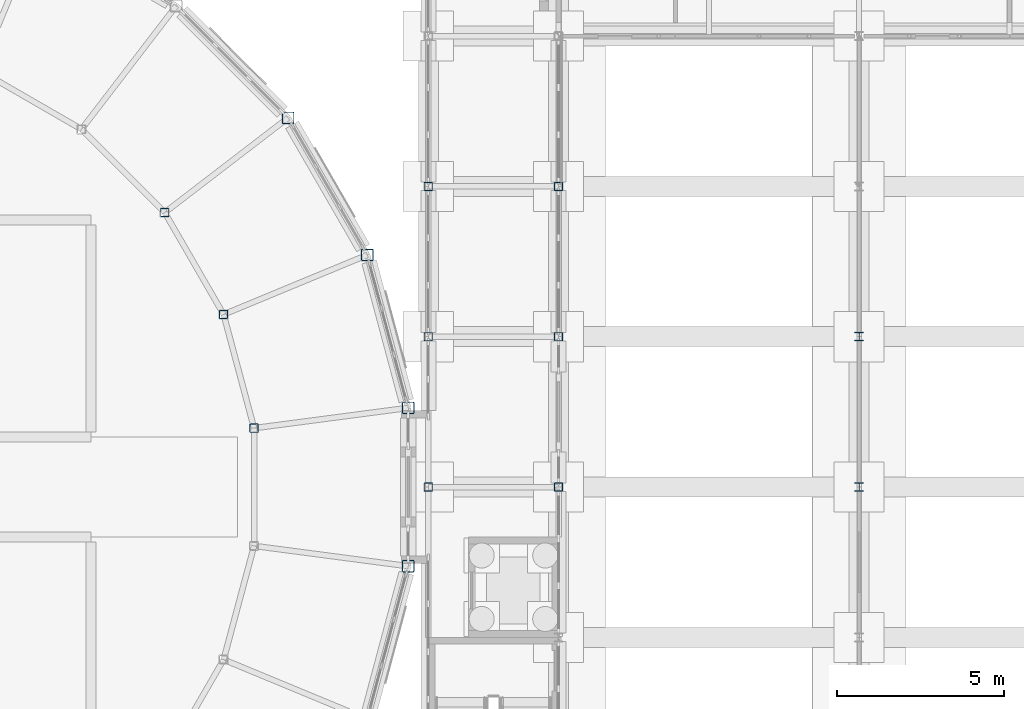
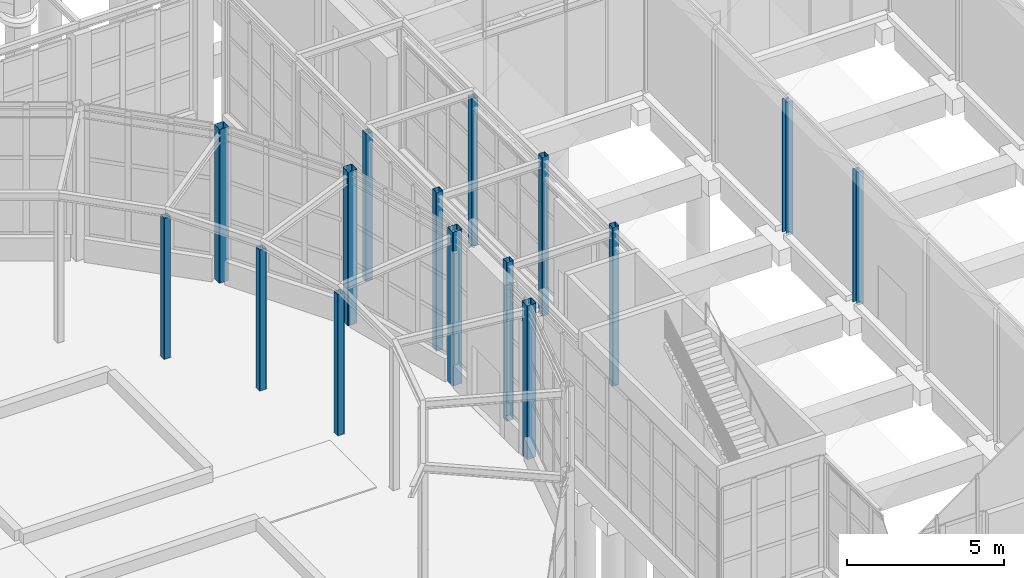
# One storey, part 17 of 106: 15 columns.
"""IFC4 building model written with IfcOpenShell, lengths in metres."""

from ifc_helpers import new_model, si_unit, direction, frame, origin, origin_2d, place, context, subcontext, project, spatial, hollow_rectangle, i_section, extrude, material, material_profile, profile_set, type_object, element, save


model = new_model("IFC4")

# Units and contexts
model_context = context("Model", 3, precision=1e-05, world=origin(), true_north=direction((0.0, 1.0)))
body_context = subcontext(model_context, "Body", "Model", "MODEL_VIEW")
ifc_project = project(units=[si_unit("LENGTHUNIT", "METRE"), si_unit("AREAUNIT", "SQUARE_METRE"), si_unit("VOLUMEUNIT", "CUBIC_METRE"), si_unit("PLANEANGLEUNIT", "RADIAN"), si_unit("MASSUNIT", "GRAM", prefix="KILO")], contexts=[model_context])

# Site, building, storey
site_placement = place(None, origin())
site = spatial("IfcSite", under=ifc_project, at=site_placement, CompositionType="ELEMENT")
building_placement = place(site_placement, origin())
building = spatial("IfcBuilding", under=site, at=building_placement, Name="Hortulan Conservatory and Botanical Research Centre", CompositionType="ELEMENT")
storey_placement = place(building_placement, origin())
storey = spatial("IfcBuildingStorey", under=building, at=storey_placement, Name="L00", CompositionType="ELEMENT", Elevation=0.0)

# Columns
ifc_material_1 = material(Name="Steel Grade 300PLUS (AS/NZS 3679.1, 280 MPa minimum yield)", Category="steel")
ifc_material_profile_1 = material_profile(ifc_material_1, i_section(OverallWidth=0.25390625, OverallDepth=0.25390625, WebThickness=0.008544921875, FlangeThickness=0.01416015625, FilletRadius=0.013916015625, at=origin_2d()), Name="250UC72.9")
ifc_profile_set_1 = profile_set([ifc_material_profile_1], Name="Steel Grade 300PLUS (AS/NZS 3679.1, 280 MPa minimum yield)")
column_type_1 = type_object("IfcColumnType", Name="Climate House Column 250UC72.9", PredefinedType="COLUMN", material=ifc_profile_set_1)
for number, where, z_axis, x_axis, name in (
    (1, (85.5, 18.0, -0.199951171875), (0.0, 0.0, 1.0), (1.0, 0.0, 0.0), "Climate house column F2-5"),
    (2, (85.5, 22.5, -0.199951171875), (0.0, 0.0, 1.0), (1.0, 0.0, 0.0), "Climate house column F2-6"),
):
    element("IfcColumn", number, at=place(storey_placement, frame(where, z_axis=z_axis, x_axis=x_axis)), inside=storey, type_object=column_type_1, Name=name, PredefinedType="COLUMN", context=body_context, shape_type="SweptSolid", body=[
        extrude(i_section(OverallWidth=0.25390625, OverallDepth=0.25390625, WebThickness=0.008544921875, FlangeThickness=0.01416015625, FilletRadius=0.013916015625, at=origin_2d()), origin(), (0.0, 0.0, 1.0), 5.199951171875),
    ])
ifc_material_2 = material(Name="Steel Grade C450L0 (450 MPa, AS/NZS 1163)", Category="steel")
ifc_material_profile_2 = material_profile(ifc_material_2, hollow_rectangle(XDim=0.35009765625, YDim=0.35009765625, WallThickness=0.012451171875, InnerFilletRadius=0.018798828125, OuterFilletRadius=0.03125, at=origin_2d()), Name="350x350x12.5SHS")
ifc_profile_set_2 = profile_set([ifc_material_profile_2], Name="Steel Grade C450L0 (450 MPa, AS/NZS 1163)")
column_type_2 = type_object("IfcColumnType", Name="Dome Drum Column 350x350x12.5 SHS", PredefinedType="COLUMN", material=ifc_profile_set_2)
for number, where, z_axis, x_axis, name in (
    (3, (72.0, 20.36962890625, 0.0), (0.0, 0.0, 1.0), (1.0, 0.0, 0.0), "Dome drum column 01 L00"),
    (4, (70.773193359375, 24.94775390625, 0.0), (0.0, 0.0, 1.0), (1.0, 0.0, 0.0), "Dome drum column 02 L00"),
    (5, (68.403564453125, 29.05224609375, 0.0), (0.0, 0.0, 1.0), (1.0, 0.0, 0.0), "Dome drum column 03 L00"),
    (6, (72.0, 15.63037109375, 0.0), (0.0, 0.0, 1.0), (1.0, 0.0, 0.0), "Dome drum column 24 L00"),
):
    element("IfcColumn", number, at=place(storey_placement, frame(where, z_axis=z_axis, x_axis=x_axis)), inside=storey, type_object=column_type_2, Name=name, PredefinedType="COLUMN", context=body_context, shape_type="SweptSolid", body=[
        extrude(hollow_rectangle(XDim=0.35009765625, YDim=0.35009765625, WallThickness=0.012451171875, InnerFilletRadius=0.018798828125, OuterFilletRadius=0.03125, at=origin_2d()), origin(), (0.0, 0.0, 1.0), 6.0),
    ])
ifc_material_profile_3 = material_profile(ifc_material_2, hollow_rectangle(XDim=0.25, YDim=0.25, WallThickness=0.009033203125, InnerFilletRadius=0.013427734375, OuterFilletRadius=0.0224609375, at=origin_2d()), Name="250x250x9SHS")
ifc_profile_set_3 = profile_set([ifc_material_profile_3], Name="Steel Grade C450L0 (450 MPa, AS/NZS 1163)")
column_type_3 = type_object("IfcColumnType", Name="Dome Walk Support Column 250x250x9 SHS", PredefinedType="COLUMN", material=ifc_profile_set_3)
for number, where, z_axis, x_axis, name in (
    (7, (67.384521484375, 19.76220703125, 0.0), (0.0, 0.0, 1.0), (1.0, 0.0, 0.0), "Dome walk support 01 L00"),
    (8, (66.472412109375, 23.166259765625, 0.0), (0.0, 0.0, 1.0), (1.0, 0.0, 0.0), "Dome walk support 02 L00"),
    (9, (64.710205078125, 26.21826171875, 0.0), (0.0, 0.0, 1.0), (1.0, 0.0, 0.0), "Dome walk support 03 L00"),
):
    element("IfcColumn", number, at=place(storey_placement, frame(where, z_axis=z_axis, x_axis=x_axis)), inside=storey, type_object=column_type_3, Name=name, PredefinedType="COLUMN", context=body_context, shape_type="SweptSolid", body=[
        extrude(hollow_rectangle(XDim=0.25, YDim=0.25, WallThickness=0.009033203125, InnerFilletRadius=0.013427734375, OuterFilletRadius=0.0224609375, at=origin_2d()), origin(), (0.0, 0.0, 1.0), 5.492919921875),
    ])
ifc_material_profile_4 = material_profile(ifc_material_2, hollow_rectangle(XDim=0.25, YDim=0.25, WallThickness=0.009033203125, InnerFilletRadius=0.013427734375, OuterFilletRadius=0.0224609375, at=origin_2d()), Name="250x250x9SHS")
ifc_profile_set_4 = profile_set([ifc_material_profile_4], Name="Steel Grade C450L0 (450 MPa, AS/NZS 1163)")
column_type_4 = type_object("IfcColumnType", Name="Head Link Column 250x250x9 SHS", PredefinedType="COLUMN", material=ifc_profile_set_4)
for number, where, z_axis, x_axis, name in (
    (10, (72.60009765625, 18.0, -0.199951171875), (0.0, 0.0, 1.0), (1.0, 0.0, 0.0), "Head link column C-72.6-18.0 L00"),
    (11, (76.5, 18.0, -0.199951171875), (0.0, 0.0, 1.0), (1.0, 0.0, 0.0), "Head link column C-76.5-18.0 L00"),
    (12, (72.60009765625, 22.5, -0.199951171875), (0.0, 0.0, 1.0), (1.0, 0.0, 0.0), "Head link column C-72.6-22.5 L00"),
    (13, (76.5, 22.5, -0.199951171875), (0.0, 0.0, 1.0), (1.0, 0.0, 0.0), "Head link column C-76.5-22.5 L00"),
):
    element("IfcColumn", number, at=place(storey_placement, frame(where, z_axis=z_axis, x_axis=x_axis)), inside=storey, type_object=column_type_4, Name=name, PredefinedType="COLUMN", context=body_context, shape_type="SweptSolid", body=[
        extrude(hollow_rectangle(XDim=0.25, YDim=0.25, WallThickness=0.009033203125, InnerFilletRadius=0.013427734375, OuterFilletRadius=0.0224609375, at=origin_2d()), origin(), (0.0, 0.0, 1.0), 6.199951171875),
    ])
for number, where, z_axis, x_axis, name in (
    (14, (72.60009765625, 27.0, -0.199951171875), (0.0, 0.0, 1.0), (1.0, 0.0, 0.0), "Head link column P-72.6-27.0 L00"),
    (15, (76.5, 27.0, -0.199951171875), (0.0, 0.0, 1.0), (1.0, 0.0, 0.0), "Head link column P-76.5-27.0 L00"),
):
    element("IfcColumn", number, at=place(storey_placement, frame(where, z_axis=z_axis, x_axis=x_axis)), inside=storey, type_object=column_type_4, Name=name, PredefinedType="COLUMN", context=body_context, shape_type="SweptSolid", body=[
        extrude(hollow_rectangle(XDim=0.25, YDim=0.25, WallThickness=0.009033203125, InnerFilletRadius=0.013427734375, OuterFilletRadius=0.0224609375, at=origin_2d()), origin(), (0.0, 0.0, 1.0), 5.745849609375),
    ])

save(model, "model.ifc")
